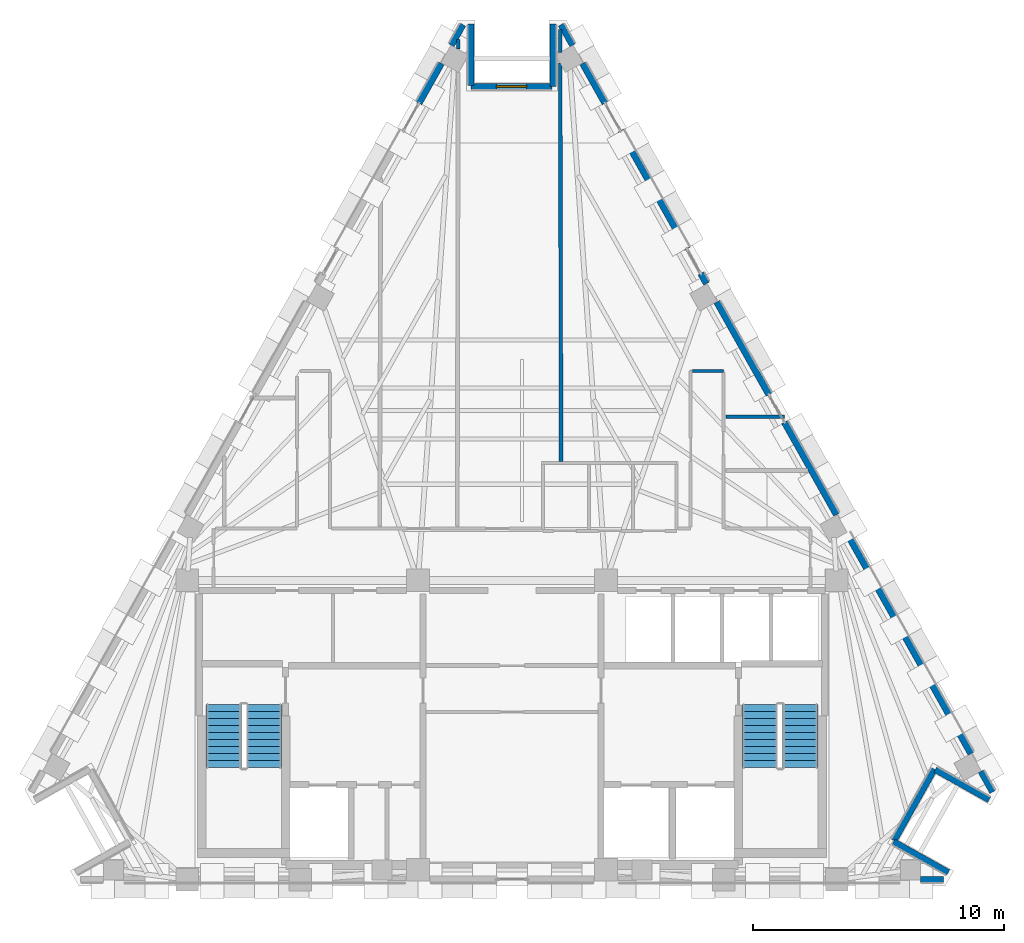
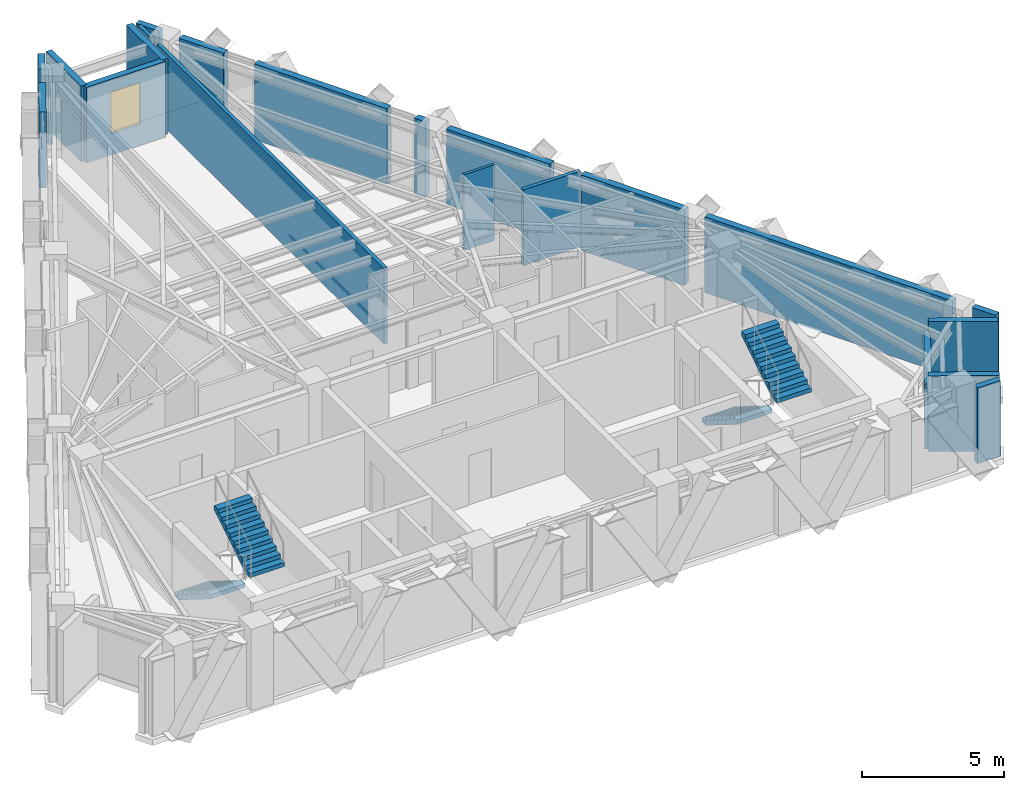
# One storey, part 7 of 9: 22 walls, 4 stair flights, 1 window, 1 opening, 2 elements without a shape of their own.
"""IFC4 building model written with IfcOpenShell, lengths in metres."""

from ifc_helpers import new_model, si_unit, direction, frame, frame_2d, origin, place, context, subcontext, project, spatial, polyline, rectangle, outline, extrude, material, layer, layer_set, type_object, element, fill, aggregate, save


model = new_model("IFC4")

# Units and contexts
model_context = context("Model", 3, precision=1e-05, world=origin(), true_north=direction((0.0, 1.0)))
body_context = subcontext(model_context, "Body", "Model", "MODEL_VIEW")
ifc_project = project(units=[si_unit("LENGTHUNIT", "METRE"), si_unit("AREAUNIT", "SQUARE_METRE"), si_unit("VOLUMEUNIT", "CUBIC_METRE"), si_unit("PLANEANGLEUNIT", "RADIAN"), si_unit("MASSUNIT", "GRAM", prefix="KILO")], contexts=[model_context])

# Site, building, storey
site_placement = place(None, origin())
site = spatial("IfcSite", under=ifc_project, at=site_placement, CompositionType="ELEMENT")
building_placement = place(site_placement, origin())
building = spatial("IfcBuilding", under=site, at=building_placement, Name="Quenlor Broadcast Tower", CompositionType="ELEMENT")
storey_placement = place(building_placement, frame((0.0, 0.0, 260.39990234375)))
storey = spatial("IfcBuildingStorey", under=building, at=storey_placement, Name="L72", CompositionType="ELEMENT", Elevation=260.39990234375)

# Walls
ifc_material_1 = material(Name="Acoustic Double Stud Gypsum Partition", Category="other")
ifc_layer_1 = layer(ifc_material_1, 0.14990234375)
ifc_layer_set_1 = layer_set([ifc_layer_1], Name="Broadcast Studio Acoustic Partition 150")
wall_type_1 = type_object("IfcWallType", Name="Broadcast Studio Acoustic Partition 150", PredefinedType="PARTITIONING", material=ifc_layer_set_1)
wall_1_placement = place(storey_placement, frame((1.92041015625, 17.17626953125, 0.0), z_axis=(0.0, 0.0, 1.0), x_axis=(0.002155167409, -0.999997677624, 0.0)))
element("IfcWall", 1, at=wall_1_placement, inside=storey, type_object=wall_type_1, Name="L72 Interior Wall PW-DV-01", PredefinedType="PARTITIONING", context=body_context, shape_type="SweptSolid", body=[
    extrude(rectangle(XDim=0.90625, YDim=0.14990234375, at=frame_2d((0.453125, 0.0))), origin(), (0.0, 0.0, 1.0), 3.25),
])
wall_2_placement = place(storey_placement, frame((1.92333984375, 15.8349609375, 0.0), z_axis=(0.0, 0.0, 1.0), x_axis=(0.002288850805, -0.999997380578, 0.0)))
element("IfcWall", 2, at=wall_2_placement, inside=storey, type_object=wall_type_1, Name="L72 Interior Wall PW-DV-01S2", PredefinedType="PARTITIONING", context=body_context, shape_type="SweptSolid", body=[
    extrude(rectangle(XDim=15.89306640625, YDim=0.14990234375, at=frame_2d((7.946533203125, 0.0))), origin(), (0.0, 0.0, 1.0), 3.25),
])
wall_3_placement = place(storey_placement, frame((-2.14599609375, 16.395751953125, 0.0), z_axis=(0.0, 0.0, 1.0), x_axis=(0.001925542002, 0.999998146142, 0.0)))
element("IfcWall", 3, at=wall_3_placement, inside=storey, type_object=wall_type_1, Name="L72 Interior Wall PW-DV-02S2", PredefinedType="PARTITIONING", context=body_context, shape_type="SweptSolid", body=[
    extrude(rectangle(XDim=0.38037109375, YDim=0.14990234375, at=frame_2d((0.190185546875, 0.0))), origin(), (0.0, 0.0, 1.0), 3.25),
])
wall_4_placement = place(storey_placement, frame((10.869384765625, 1.72998046875, 0.0), z_axis=(0.0, 0.0, 1.0), x_axis=(-1.0, 0.0, 0.0)))
element("IfcWall", 4, at=wall_4_placement, inside=storey, type_object=wall_type_1, Name="L72 Interior Wall PW-DV-03", PredefinedType="PARTITIONING", context=body_context, shape_type="SweptSolid", body=[
    extrude(rectangle(XDim=2.329345703125, YDim=0.14990234375, at=frame_2d((1.16455078125, 0.0))), origin(), (0.0, 0.0, 1.0), 3.25),
])
ifc_material_2 = material(Name="Gypsum Plasterboard Partition", Category="other")
ifc_layer_2 = layer(ifc_material_2, 0.1201171875)
ifc_layer_set_2 = layer_set([ifc_layer_2], Name="Standard Office Partition 120")
wall_type_2 = type_object("IfcWallType", Name="Standard Office Partition 120", PredefinedType="PARTITIONING", material=ifc_layer_set_2)
wall_5_placement = place(storey_placement, frame((7.19189453125, 3.56005859375, 0.0), z_axis=(0.0, 0.0, 1.0), x_axis=(1.0, 0.0, 0.0)))
element("IfcWall", 5, at=wall_5_placement, inside=storey, type_object=wall_type_2, Name="L72 Interior Wall PW-CR-10", PredefinedType="PARTITIONING", context=body_context, shape_type="SweptSolid", body=[
    extrude(rectangle(XDim=1.238037109375, YDim=0.1201171875, at=frame_2d((0.619140625, 0.0))), origin(), (0.0, 0.0, 1.0), 3.25),
])
ifc_material_3 = material(Name="Precast concrete C40/50", Category="concrete")
ifc_layer_3 = layer(ifc_material_3, 0.239990234375)
ifc_layer_set_3 = layer_set([ifc_layer_3], Name="Terrace Threshold Precast Concrete C40/50 Wall 240")
wall_type_3 = type_object("IfcWallType", Name="Terrace Threshold Precast Concrete C40/50 Wall 240", PredefinedType="STANDARD", material=ifc_layer_set_3)
wall_6_placement = place(storey_placement, frame((17.219970703125, -16.72509765625, 0.0), z_axis=(0.0, 0.0, 1.0), x_axis=(-1.0, 0.0, 0.0)))
element("IfcWall", 6, at=wall_6_placement, inside=storey, type_object=wall_type_3, Name="L72 Exterior Wall L72-SHD-SS0", PredefinedType="STANDARD", context=body_context, shape_type="SweptSolid", body=[
    extrude(rectangle(XDim=0.91748046875, YDim=0.239990234375, at=frame_2d((0.458740234375, 0.0))), origin(), (0.0, 0.0, 1.0), 3.25),
])
for number, where, z_axis, x_axis, name in (
    (7, (1.94970703125, 17.372802734375, 0.0), (0.0, 0.0, 1.0), (0.490199895283, -0.871610040479, 0.0), "L72 Exterior Wall L72-SHD-NES0"),
    (8, (18.707763671875, -12.4189453125, 0.0), (0.0, 0.0, 1.0), (0.490199895283, -0.871610040479, 0.0), "L72 Exterior Wall L72-SHD-NES1"),
    (9, (-2.412841796875, 16.54931640625, 0.0), (0.0, 0.0, 1.0), (0.490199895283, 0.871610040479, 0.0), "L72 Exterior Wall L72-SHD-NWS1"),
):
    element("IfcWall", number, at=place(storey_placement, frame(where, z_axis=z_axis, x_axis=x_axis)), inside=storey, type_object=wall_type_3, Name=name, PredefinedType="STANDARD", context=body_context, shape_type="SweptSolid", body=[
        extrude(rectangle(XDim=0.94482421875, YDim=0.239990234375, at=frame_2d((0.472412109375, 0.0))), origin(), (0.0, 0.0, 1.0), 3.25),
    ])
wall_7_placement = place(storey_placement, frame((17.40771484375, -16.446533203125, 0.0), z_axis=(0.0, 0.0, 1.0), x_axis=(-0.871588577066, 0.490238056792, 0.0)))
element("IfcWall", 10, at=wall_7_placement, inside=storey, type_object=wall_type_3, Name="L72 Exterior Wall L72-CNR-01", PredefinedType="STANDARD", context=body_context, shape_type="SweptSolid", body=[
    extrude(rectangle(XDim=2.5, YDim=0.239990234375, at=frame_2d((1.25, 0.0))), origin(), (0.0, 0.0, 1.0), 3.25),
])
wall_8_placement = place(storey_placement, frame((15.248291015625, -15.18603515625, 0.0), z_axis=(0.0, 0.0, 1.0), x_axis=(0.490293083368, 0.871557624258, 0.0)))
element("IfcWall", 11, at=wall_8_placement, inside=storey, type_object=wall_type_3, Name="L72 Exterior Wall L72-CNR-02", PredefinedType="STANDARD", context=body_context, shape_type="SweptSolid", body=[
    extrude(rectangle(XDim=3.276123046875, YDim=0.239990234375, at=frame_2d((1.63818359375, 0.0))), origin(), (0.0, 0.0, 1.0), 2.789794921875),
])
wall_9_placement = place(storey_placement, frame((16.889404296875, -12.350341796875, 0.0), z_axis=(0.0, 0.0, 1.0), x_axis=(0.87157023615, -0.490270663468, 0.0)))
element("IfcWall", 12, at=wall_9_placement, inside=storey, type_object=wall_type_3, Name="L72 Exterior Wall L72-CNR-03", PredefinedType="STANDARD", context=body_context, shape_type="SweptSolid", body=[
    extrude(rectangle(XDim=2.4599609375, YDim=0.239990234375, at=frame_2d((1.22998046875, 0.0))), origin(), (0.0, 0.0, 1.0), 3.25),
])
wall_10_placement = place(storey_placement, frame((1.62890625, 17.39990234375, 0.0), z_axis=(0.0, 0.0, 1.0), x_axis=(0.0, -1.0, 0.0)))
element("IfcWall", 13, at=wall_10_placement, inside=storey, type_object=wall_type_3, Name="L72 Exterior Wall L72-CNR-07", PredefinedType="STANDARD", context=body_context, shape_type="SweptSolid", body=[
    extrude(rectangle(XDim=2.5, YDim=0.239990234375, at=frame_2d((1.25, 0.0))), origin(), (0.0, 0.0, 1.0), 3.25),
])

# Wall, opening, window
wall_11_placement = place(storey_placement, frame((1.5888671875, 14.89990234375, 0.0), z_axis=(0.0, 0.0, 1.0), x_axis=(-1.0, 0.0, 0.0)))
wall_11 = element("IfcWall", 14, at=wall_11_placement, inside=storey, type_object=wall_type_3, Name="L72 Exterior Wall L72-CNR-08", PredefinedType="STANDARD", context=body_context, shape_type="SweptSolid", body=[
    extrude(rectangle(XDim=3.2177734375, YDim=0.239990234375, at=frame_2d((1.60888671875, 0.0))), origin(), (0.0, 0.0, 1.0), 3.25),
])
opening_placement = place(wall_11_placement, frame((1.009033203125, 0.0, 0.89990234375)))
opening = element("IfcOpeningElement", 15, at=opening_placement, cuts=wall_11, Name="Opening WN-5", PredefinedType="OPENING", context=body_context, shape_type="SweptSolid", body=[
    extrude(rectangle(XDim=1.199951171875, YDim=1.800048828125, at=frame_2d((0.60009765625, 0.89990234375))), frame((0.0, 0.1298828125, 0.0), z_axis=(0.0, -1.0, 0.0), x_axis=(1.0, 0.0, 0.0)), (0.0, 0.0, 1.0), 0.260009765625),
])
ifc_material_4 = material(Name="Thermally Broken Aluminium and Low-E Glass", Category="aluminium")
window_type = type_object("IfcWindowType", Name="Corner Chamfer Punched Window 1200x1800", PartitioningType="SINGLE_PANEL", PredefinedType="WINDOW", material=ifc_material_4)
window_placement = place(opening_placement, origin())
window = element("IfcWindow", 16, at=window_placement, inside=storey, type_object=window_type, Name="L72 Corner Chamfer Window 8", OverallHeight=1.800048828125, OverallWidth=1.199951171875, PartitioningType="SINGLE_PANEL", PredefinedType="WINDOW", context=body_context, shape_type="SweptSolid", body=[
    extrude(rectangle(XDim=1.199951171875, YDim=1.800048828125, at=frame_2d((0.60009765625, 0.89990234375))), frame((0.0, 0.030029296875, 0.0), z_axis=(0.0, -1.0, 0.0), x_axis=(1.0, 0.0, 0.0)), (0.0, 0.0, 1.0), 0.06005859375),
])
fill(opening, window)

# Walls
wall_12_placement = place(storey_placement, frame((-1.62890625, 14.93994140625, 0.0), z_axis=(0.0, 0.0, 1.0), x_axis=(0.0, 1.0, 0.0)))
element("IfcWall", 17, at=wall_12_placement, inside=storey, type_object=wall_type_3, Name="L72 Exterior Wall L72-CNR-09", PredefinedType="STANDARD", context=body_context, shape_type="SweptSolid", body=[
    extrude(rectangle(XDim=2.4599609375, YDim=0.239990234375, at=frame_2d((1.22998046875, 0.0))), origin(), (0.0, 0.0, 1.0), 3.25),
])
ifc_material_5 = material(Name="Precast concrete C40/50", Category="concrete")
ifc_layer_4 = layer(ifc_material_5, 0.260009765625)
ifc_layer_set_4 = layer_set([ifc_layer_4], Name="Terracotta Precast Concrete C40/50 Upper Wall 260")
wall_type_4 = type_object("IfcWallType", Name="Terracotta Precast Concrete C40/50 Upper Wall 260", PredefinedType="STANDARD", material=ifc_layer_set_4)
wall_13_placement = place(storey_placement, frame((2.81982421875, 15.825927734375, 0.0), z_axis=(0.0, 0.0, 1.0), x_axis=(0.490261239633, -0.871575537125, 0.0)))
element("IfcWall", 18, at=wall_13_placement, inside=storey, type_object=wall_type_4, Name="L72 Exterior Wall L72-NEA-SP1", PredefinedType="STANDARD", context=body_context, shape_type="SweptSolid", body=[
    extrude(rectangle(XDim=1.819580078125, YDim=0.260009765625, at=frame_2d((0.90966796875, 0.0))), origin(), (0.0, 0.0, 1.0), 3.25),
])
wall_14_placement = place(storey_placement, frame((4.329833984375, 13.1416015625, 0.0), z_axis=(0.0, 0.0, 1.0), x_axis=(0.490265525523, -0.871573126297, 0.0)))
element("IfcWall", 19, at=wall_14_placement, inside=storey, type_object=wall_type_4, Name="L72 Exterior Wall L72-NEA-SP2", PredefinedType="STANDARD", context=body_context, shape_type="SweptSolid", body=[
    extrude(rectangle(XDim=5.408935546875, YDim=0.260009765625, at=frame_2d((2.70458984375, 0.0))), origin(), (0.0, 0.0, 1.0), 3.25),
])
wall_15_placement = place(storey_placement, frame((7.534423828125, 7.444580078125, 0.0), z_axis=(0.0, 0.0, 1.0), x_axis=(0.490412424957, -0.871490478116, 0.0)))
element("IfcWall", 20, at=wall_15_placement, inside=storey, type_object=wall_type_4, Name="L72 Exterior Wall L72-NEA-SP3", PredefinedType="STANDARD", context=body_context, shape_type="SweptSolid", body=[
    extrude(rectangle(XDim=0.4599609375, YDim=0.260009765625, at=frame_2d((0.22998046875, 0.0))), origin(), (0.0, 0.0, 1.0), 3.25),
])
wall_16_placement = place(storey_placement, frame((13.350830078125, -2.895751953125, 0.0), z_axis=(0.0, 0.0, 1.0), x_axis=(0.490266968583, -0.871572314565, 0.0)))
element("IfcWall", 21, at=wall_16_placement, inside=storey, type_object=wall_type_4, Name="L72 Exterior Wall L72-EW-NEC", PredefinedType="STANDARD", context=body_context, shape_type="SweptSolid", body=[
    extrude(rectangle(XDim=10.116455078125, YDim=0.260009765625, at=frame_2d((5.05810546875, 0.0))), origin(), (0.0, 0.0, 1.0), 3.25),
])
wall_17_placement = place(storey_placement, frame((8.17431640625, 6.30712890625, 0.0), z_axis=(0.0, 0.0, 1.0), x_axis=(0.490269447258, -0.871570920284, 0.0)))
element("IfcWall", 22, at=wall_17_placement, inside=storey, type_object=wall_type_4, Name="L72 Exterior Wall L72-NE-SP1", PredefinedType="STANDARD", context=body_context, shape_type="SweptSolid", body=[
    extrude(rectangle(XDim=4.23681640625, YDim=0.260009765625, at=frame_2d((2.118408203125, 0.0))), origin(), (0.0, 0.0, 1.0), 3.25),
])
wall_18_placement = place(storey_placement, frame((10.869140625, 1.51611328125, 0.0), z_axis=(0.0, 0.0, 1.0), x_axis=(0.490244825075, -0.871584770109, 0.0)))
element("IfcWall", 23, at=wall_18_placement, inside=storey, type_object=wall_type_4, Name="L72 Exterior Wall L72-NE-SP2", PredefinedType="STANDARD", context=body_context, shape_type="SweptSolid", body=[
    extrude(rectangle(XDim=4.237060546875, YDim=0.260009765625, at=frame_2d((2.11865234375, 0.0))), origin(), (0.0, 0.0, 1.0), 3.25),
])
wall_19_placement = place(storey_placement, frame((-3.7119140625, 14.239990234375, 0.0), z_axis=(0.0, 0.0, 1.0), x_axis=(0.490261239633, 0.871575537125, 0.0)))
element("IfcWall", 24, at=wall_19_placement, inside=storey, type_object=wall_type_4, Name="L72 Exterior Wall L72-NWC-SP3", PredefinedType="STANDARD", context=body_context, shape_type="SweptSolid", body=[
    extrude(rectangle(XDim=1.819580078125, YDim=0.260009765625, at=frame_2d((0.90966796875, 0.0))), origin(), (0.0, 0.0, 1.0), 3.25),
])

# Stair, stair flights
ifc_material_6 = material(Name="Precast concrete C40/50", Category="concrete")
stair_type = type_object("IfcStairType", Name="Precast Concrete C40/50 Dogleg Stair H350", PredefinedType="HALF_TURN_STAIR", material=ifc_material_6)
stair_1_placement = place(storey_placement, origin())
stair_1 = element("IfcStair", 25, at=stair_1_placement, inside=storey, type_object=stair_type, Name="L72 West Core Fire-Isolated Exit Stair ST-1", PredefinedType="HALF_TURN_STAIR")
ifc_material_7 = material(Name="Precast concrete C40/50", Category="concrete")
ifc_layer_5 = layer(ifc_material_7, 0.159912109375)
ifc_layer_set_5 = layer_set([ifc_layer_5], Name="Precast Concrete C40/50 Stair Flight H350")
stair_flight_type = type_object("IfcStairFlightType", Name="Precast Concrete C40/50 Stair Flight H350", PredefinedType="STRAIGHT", material=ifc_layer_set_5)
stair_flight_1_placement = place(storey_placement, frame((-11.5, -9.75, 0.0), z_axis=(0.0, 0.0, 1.0), x_axis=(0.0, -1.0, 0.0)))
stair_flight_1 = element("IfcStairFlight", 26, at=stair_flight_1_placement, type_object=stair_flight_type, Name="ST-1 flight 1", NumberOfRisers=10, NumberOfTreads=9, PredefinedType="STRAIGHT", RiserHeight=0.175, TreadLength=0.28, context=body_context, shape_type="SweptSolid", body=[
    extrude(outline(polyline([(0.0, 0.0), (0.0, 0.175048828125), (0.280029296875, 0.175048828125), (0.280029296875, 0.35009765625), (0.56005859375, 0.35009765625), (0.56005859375, 0.52490234375), (0.840087890625, 0.52490234375), (0.840087890625, 0.699951171875), (1.1201171875, 0.699951171875), (1.1201171875, 0.875), (1.39990234375, 0.875), (1.39990234375, 1.050048828125), (1.679931640625, 1.050048828125), (1.679931640625, 1.22509765625), (1.9599609375, 1.22509765625), (1.9599609375, 1.39990234375), (2.239990234375, 1.39990234375), (2.239990234375, 1.574951171875), (2.52001953125, 1.574951171875), (2.52001953125, 1.75), (2.52001953125, 1.398193359375), (0.28271484375, 0.0), (0.0, 0.0)])), frame((0.0, 0.699951171875, 0.0), z_axis=(0.0, -1.0, 0.0), x_axis=(1.0, 0.0, 0.0)), (0.0, 0.0, 1.0), 1.39990234375),
])
stair_flight_2_placement = place(storey_placement, frame((-9.89990234375, -12.27001953125, 1.75), z_axis=(0.0, 0.0, 1.0), x_axis=(0.0, 1.0, 0.0)))
stair_flight_2 = element("IfcStairFlight", 27, at=stair_flight_2_placement, type_object=stair_flight_type, Name="ST-1 flight 2", NumberOfRisers=10, NumberOfTreads=9, PredefinedType="STRAIGHT", RiserHeight=0.175, TreadLength=0.28, context=body_context, shape_type="SweptSolid", body=[
    extrude(outline(polyline([(0.0, 0.0), (0.0, 0.175048828125), (0.280029296875, 0.175048828125), (0.280029296875, 0.35009765625), (0.56005859375, 0.35009765625), (0.56005859375, 0.52490234375), (0.840087890625, 0.52490234375), (0.840087890625, 0.699951171875), (1.1201171875, 0.699951171875), (1.1201171875, 0.875), (1.39990234375, 0.875), (1.39990234375, 1.050048828125), (1.679931640625, 1.050048828125), (1.679931640625, 1.22509765625), (1.9599609375, 1.22509765625), (1.9599609375, 1.39990234375), (2.239990234375, 1.39990234375), (2.239990234375, 1.574951171875), (2.52001953125, 1.574951171875), (2.52001953125, 1.75), (2.52001953125, 1.398193359375), (0.28271484375, 0.0), (0.0, 0.0)])), frame((0.0, 0.699951171875, 0.0), z_axis=(0.0, -1.0, 0.0), x_axis=(1.0, 0.0, 0.0)), (0.0, 0.0, 1.0), 1.39990234375),
])
aggregate(stair_1, [stair_flight_1, stair_flight_2])

stair_2_placement = place(storey_placement, origin())
stair_2 = element("IfcStair", 28, at=stair_2_placement, inside=storey, type_object=stair_type, Name="L72 East Core Fire-Isolated Exit Stair ST-2", PredefinedType="HALF_TURN_STAIR")
stair_flight_3_placement = place(storey_placement, frame((9.89990234375, -9.75, 0.0), z_axis=(0.0, 0.0, 1.0), x_axis=(0.0, -1.0, 0.0)))
stair_flight_3 = element("IfcStairFlight", 29, at=stair_flight_3_placement, type_object=stair_flight_type, Name="ST-2 flight 1", NumberOfRisers=10, NumberOfTreads=9, PredefinedType="STRAIGHT", RiserHeight=0.175, TreadLength=0.28, context=body_context, shape_type="SweptSolid", body=[
    extrude(outline(polyline([(0.0, 0.0), (0.0, 0.175048828125), (0.280029296875, 0.175048828125), (0.280029296875, 0.35009765625), (0.56005859375, 0.35009765625), (0.56005859375, 0.52490234375), (0.840087890625, 0.52490234375), (0.840087890625, 0.699951171875), (1.1201171875, 0.699951171875), (1.1201171875, 0.875), (1.39990234375, 0.875), (1.39990234375, 1.050048828125), (1.679931640625, 1.050048828125), (1.679931640625, 1.22509765625), (1.9599609375, 1.22509765625), (1.9599609375, 1.39990234375), (2.239990234375, 1.39990234375), (2.239990234375, 1.574951171875), (2.52001953125, 1.574951171875), (2.52001953125, 1.75), (2.52001953125, 1.398193359375), (0.28271484375, 0.0), (0.0, 0.0)])), frame((0.0, 0.699951171875, 0.0), z_axis=(0.0, -1.0, 0.0), x_axis=(1.0, 0.0, 0.0)), (0.0, 0.0, 1.0), 1.39990234375),
])
stair_flight_4_placement = place(storey_placement, frame((11.5, -12.27001953125, 1.75), z_axis=(0.0, 0.0, 1.0), x_axis=(0.0, 1.0, 0.0)))
stair_flight_4 = element("IfcStairFlight", 30, at=stair_flight_4_placement, type_object=stair_flight_type, Name="ST-2 flight 2", NumberOfRisers=10, NumberOfTreads=9, PredefinedType="STRAIGHT", RiserHeight=0.175, TreadLength=0.28, context=body_context, shape_type="SweptSolid", body=[
    extrude(outline(polyline([(0.0, 0.0), (0.0, 0.175048828125), (0.280029296875, 0.175048828125), (0.280029296875, 0.35009765625), (0.56005859375, 0.35009765625), (0.56005859375, 0.52490234375), (0.840087890625, 0.52490234375), (0.840087890625, 0.699951171875), (1.1201171875, 0.699951171875), (1.1201171875, 0.875), (1.39990234375, 0.875), (1.39990234375, 1.050048828125), (1.679931640625, 1.050048828125), (1.679931640625, 1.22509765625), (1.9599609375, 1.22509765625), (1.9599609375, 1.39990234375), (2.239990234375, 1.39990234375), (2.239990234375, 1.574951171875), (2.52001953125, 1.574951171875), (2.52001953125, 1.75), (2.52001953125, 1.398193359375), (0.28271484375, 0.0), (0.0, 0.0)])), frame((0.0, 0.699951171875, 0.0), z_axis=(0.0, -1.0, 0.0), x_axis=(1.0, 0.0, 0.0)), (0.0, 0.0, 1.0), 1.39990234375),
])
aggregate(stair_2, [stair_flight_3, stair_flight_4])

save(model, "model.ifc")
